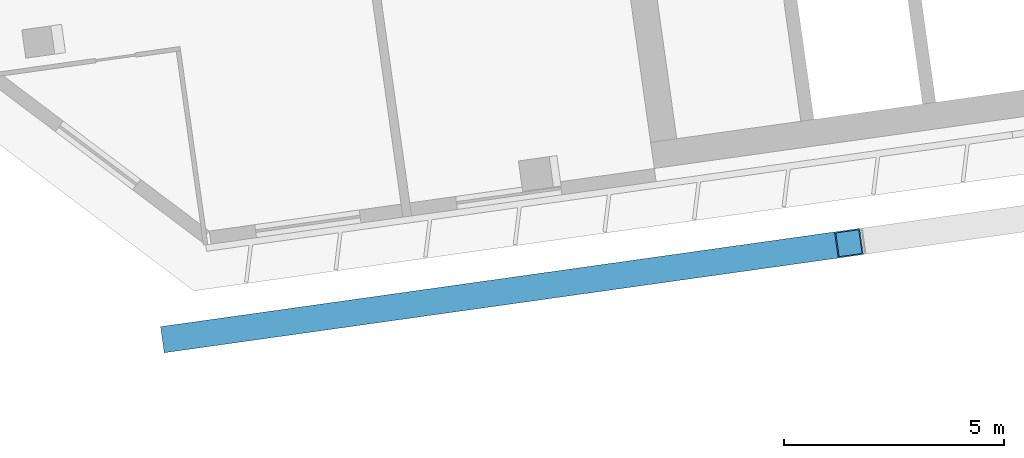
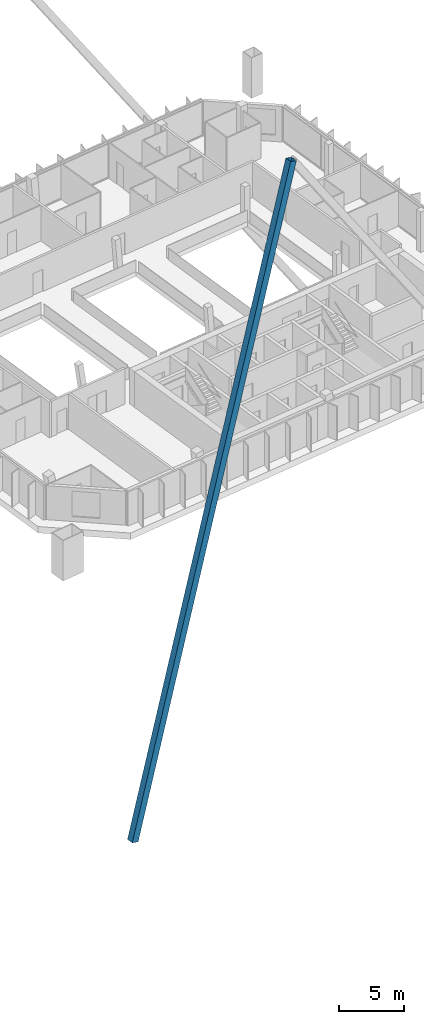
# One storey, part 12 of 28: 1 member.
"""IFC4 building model written with IfcOpenShell, lengths in metres."""

from ifc_helpers import new_model, si_unit, direction, frame, origin, origin_2d, place, context, subcontext, project, spatial, hollow_rectangle, extrude, material, material_profile, profile_set, type_object, element, save


model = new_model("IFC4")

# Units and contexts
model_context = context("Model", 3, precision=1e-05, world=origin(), true_north=direction((0.0, 1.0)))
body_context = subcontext(model_context, "Body", "Model", "MODEL_VIEW")
ifc_project = project(units=[si_unit("LENGTHUNIT", "METRE"), si_unit("AREAUNIT", "SQUARE_METRE"), si_unit("VOLUMEUNIT", "CUBIC_METRE"), si_unit("PLANEANGLEUNIT", "RADIAN"), si_unit("MASSUNIT", "GRAM", prefix="KILO")], contexts=[model_context])

# Site, building, storey
site_placement = place(None, origin())
site = spatial("IfcSite", under=ifc_project, at=site_placement, CompositionType="ELEMENT")
building_placement = place(site_placement, origin())
building = spatial("IfcBuilding", under=site, at=building_placement, Name="Mirante Cascada Hotel Towers", CompositionType="ELEMENT")
storey_placement = place(building_placement, frame((0.0, 0.0, 243.2)))
storey = spatial("IfcBuildingStorey", under=building, at=storey_placement, Name="L58", CompositionType="ELEMENT", Elevation=243.2)

# Member
ifc_material = material(Name="Steel ASTM A572 Gr 50", Category="steel")
ifc_material_profile = material_profile(ifc_material, hollow_rectangle(XDim=0.6, YDim=0.6, WallThickness=0.028, at=origin_2d()), Name="Box brace 600x600x28 ASTM A572 Gr 50")
ifc_profile_set = profile_set([ifc_material_profile], Name="Steel ASTM A572 Gr 50")
member_type = type_object("IfcMemberType", Name="Box brace 600x600x28 ASTM A572 Gr 50", PredefinedType="BRACE", material=ifc_profile_set)
member_placement = place(storey_placement, frame((26.451, -23.7052, -27.9783), z_axis=(0.2579295, 0.0362509, 0.9654834), x_axis=(-0.1391779, 0.9902674, 0.0)))
element("IfcMember", 1, at=member_placement, inside=storey, type_object=member_type, Name="brace T2 L58 3", PredefinedType="BRACE", context=body_context, shape_type="SweptSolid", body=[
    extrude(hollow_rectangle(XDim=0.6, YDim=0.6, WallThickness=0.028, at=origin_2d()), origin(), (0.0, 0.0, 1.0), 59.4523),
])

save(model, "model.ifc")
